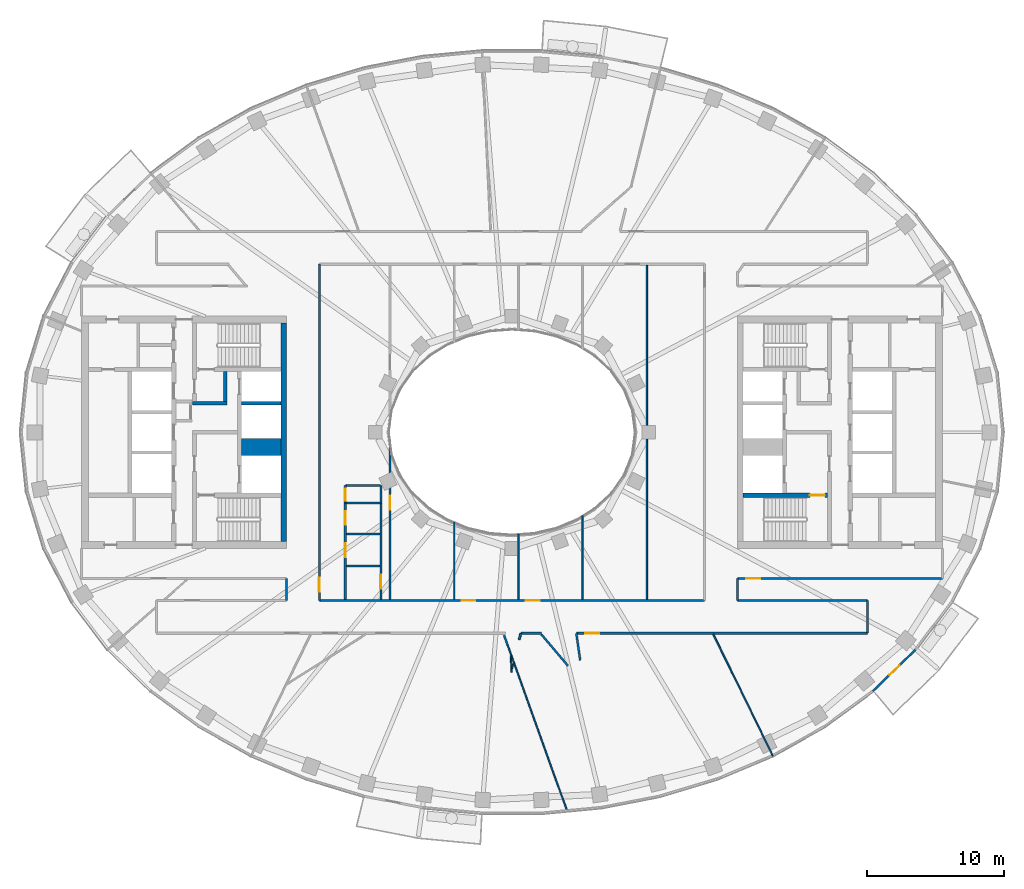
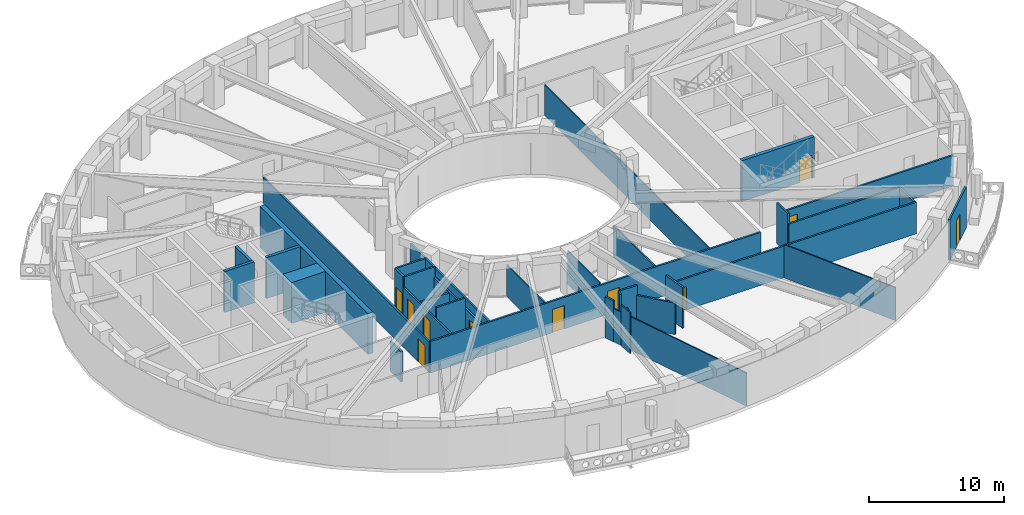
# One storey, part 4 of 16: 37 walls, 12 doors, 12 openings.
"""IFC4 building model written with IfcOpenShell, lengths in metres."""

from ifc_helpers import new_model, si_unit, direction, frame, frame_2d, origin, place, context, subcontext, project, spatial, rectangle, extrude, material, layer, layer_set, type_object, element, fill, save


model = new_model("IFC4")

# Units and contexts
model_context = context("Model", 3, precision=1e-05, world=origin(), true_north=direction((0.0, 1.0)))
body_context = subcontext(model_context, "Body", "Model", "MODEL_VIEW")
ifc_project = project(units=[si_unit("LENGTHUNIT", "METRE"), si_unit("AREAUNIT", "SQUARE_METRE"), si_unit("VOLUMEUNIT", "CUBIC_METRE"), si_unit("PLANEANGLEUNIT", "RADIAN"), si_unit("MASSUNIT", "GRAM", prefix="KILO")], contexts=[model_context])

# Site, building, storey
site_placement = place(None, origin())
site = spatial("IfcSite", under=ifc_project, at=site_placement, CompositionType="ELEMENT")
building_placement = place(site_placement, origin())
building = spatial("IfcBuilding", under=site, at=building_placement, Name="Noorbagh Ring Tower", CompositionType="ELEMENT")
storey_placement = place(building_placement, frame((0.0, 0.0, 249.5)))
storey = spatial("IfcBuildingStorey", under=building, at=storey_placement, Name="L52", CompositionType="ELEMENT", Elevation=249.5)

# Wall, opening, door
ifc_material_1 = material(Name="Gypsum board on steel studs", Category="steel")
ifc_layer_1 = layer(ifc_material_1, 0.14990234375)
ifc_layer_set_1 = layer_set([ifc_layer_1], Name="Gypsum board on steel studs")
wall_type_1 = type_object("IfcWallType", Name="COMPARTMENT PARTITION 150 EI 60", PredefinedType="PARTITIONING", material=ifc_layer_set_1)
wall_1_placement = place(storey_placement, frame((-12.199951171875, -5.159912109375, 0.0), z_axis=(0.0, 0.0, 1.0), x_axis=(0.0, 1.0, 0.0)))
wall_1 = element("IfcWall", 1, at=wall_1_placement, inside=storey, type_object=wall_type_1, Name="L52/wall/P26", PredefinedType="PARTITIONING", context=body_context, shape_type="SweptSolid", body=[
    extrude(rectangle(XDim=1.260009765625, YDim=0.14990234375, at=frame_2d((0.6298828125, 0.0))), origin(), (0.0, 0.0, 1.0), 3.699951171875),
])
opening_1_placement = place(wall_1_placement, frame((0.14990234375, 0.0, 0.0)))
opening_1 = element("IfcOpeningElement", 2, at=opening_1_placement, cuts=wall_1, Name="Opening D4", PredefinedType="OPENING", context=body_context, shape_type="SweptSolid", body=[
    extrude(rectangle(XDim=0.89990234375, YDim=2.10009765625, at=frame_2d((0.449951171875, 1.050048828125))), frame((0.0, 0.0849609375, 0.0), z_axis=(0.0, -1.0, 0.0), x_axis=(1.0, 0.0, 0.0)), (0.0, 0.0, 1.0), 0.169921875),
])
ifc_material_2 = material(Name="Timber, painted", Category="wood")
door_type_1 = type_object("IfcDoorType", Name="DOOR 900 X 2100 FD60", OperationType="SINGLE_SWING_LEFT", PredefinedType="DOOR", material=ifc_material_2)
door_1_placement = place(opening_1_placement, origin())
door_1 = element("IfcDoor", 3, at=door_1_placement, inside=storey, type_object=door_type_1, Name="L52-D05", OperationType="SINGLE_SWING_LEFT", OverallHeight=2.10009765625, OverallWidth=0.89990234375, PredefinedType="DOOR", context=body_context, shape_type="SweptSolid", body=[
    extrude(rectangle(XDim=0.89990234375, YDim=2.10009765625, at=frame_2d((0.449951171875, 1.050048828125))), frame((0.0, 0.02490234375, 0.0), z_axis=(0.0, -1.0, 0.0), x_axis=(1.0, 0.0, 0.0)), (0.0, 0.0, 1.0), 0.050048828125),
])
fill(opening_1, door_1)

# Walls
wall_2_placement = place(storey_placement, frame((-12.199951171875, -5.159912109375, 0.0), z_axis=(0.0, 0.0, 1.0), x_axis=(1.0, 0.0, 0.0)))
element("IfcWall", 4, at=wall_2_placement, inside=storey, type_object=wall_type_1, Name="L52/wall/P27", PredefinedType="PARTITIONING", context=body_context, shape_type="SweptSolid", body=[
    extrude(rectangle(XDim=2.599853515625, YDim=0.14990234375, at=frame_2d((1.2998046875, 0.0))), origin(), (0.0, 0.0, 1.0), 3.699951171875),
])
wall_3_placement = place(storey_placement, frame((-12.199951171875, -3.89990234375, 0.0), z_axis=(0.0, 0.0, 1.0), x_axis=(1.0, 0.0, 0.0)))
element("IfcWall", 5, at=wall_3_placement, inside=storey, type_object=wall_type_1, Name="L52/wall/P28", PredefinedType="PARTITIONING", context=body_context, shape_type="SweptSolid", body=[
    extrude(rectangle(XDim=2.595947265625, YDim=0.14990234375, at=frame_2d((1.2978515625, 0.0))), origin(), (0.0, 0.0, 1.0), 3.699951171875),
])
wall_4_placement = place(storey_placement, frame((-9.60009765625, -5.159912109375, 0.0), z_axis=(0.0, 0.0, 1.0), x_axis=(0.0, 1.0, 0.0)))
element("IfcWall", 6, at=wall_4_placement, inside=storey, type_object=wall_type_1, Name="L52/wall/P31", PredefinedType="PARTITIONING", context=body_context, shape_type="SweptSolid", body=[
    extrude(rectangle(XDim=1.255859375, YDim=0.14990234375, at=frame_2d((0.6279296875, 0.0))), origin(), (0.0, 0.0, 1.0), 3.699951171875),
])
ifc_material_3 = material(Name="Concrete C60/75", Category="concrete")
ifc_layer_2 = layer(ifc_material_3, 1.25)
ifc_layer_set_2 = layer_set([ifc_layer_2], Name="Concrete C60/75")
wall_type_2 = type_object("IfcWallType", Name="CORE-WALL-1250-C60-75-EI120", PredefinedType="SHEAR", material=ifc_layer_set_2)
wall_5_placement = place(storey_placement, frame((-16.89990234375, -1.074951171875, 0.0), z_axis=(0.0, 0.0, 1.0), x_axis=(-1.0, 0.0, 0.0)))
element("IfcWall", 7, at=wall_5_placement, inside=storey, type_object=wall_type_2, Name="Core wall W", PredefinedType="SHEAR", context=body_context, shape_type="SweptSolid", body=[
    extrude(rectangle(XDim=2.900146484375, YDim=1.25, at=frame_2d((1.4501953125, 0.0))), origin(), (0.0, 0.0, 1.0), 3.699951171875),
])
ifc_material_4 = material(Name="Concrete C60/75", Category="concrete")
ifc_layer_3 = layer(ifc_material_4, 0.25)
ifc_layer_set_3 = layer_set([ifc_layer_3], Name="Concrete C60/75")
wall_type_3 = type_object("IfcWallType", Name="CORE-WALL-250-C60-75-EI120", PredefinedType="SHEAR", material=ifc_layer_set_3)
wall_6_placement = place(storey_placement, frame((-16.89990234375, 2.125, 0.0), z_axis=(0.0, 0.0, 1.0), x_axis=(-1.0, 0.0, 0.0)))
element("IfcWall", 8, at=wall_6_placement, inside=storey, type_object=wall_type_3, Name="Core wall W", PredefinedType="SHEAR", context=body_context, shape_type="SweptSolid", body=[
    extrude(rectangle(XDim=2.900146484375, YDim=0.25, at=frame_2d((1.4501953125, 0.0))), origin(), (0.0, 0.0, 1.0), 3.699951171875),
])
ifc_material_5 = material(Name="Concrete C60/75", Category="concrete")
ifc_layer_4 = layer(ifc_material_5, 0.25)
ifc_layer_set_4 = layer_set([ifc_layer_4], Name="Concrete C60/75")
wall_type_4 = type_object("IfcWallType", Name="CORE-WALL-250-C60-75-EI240", PredefinedType="SHEAR", material=ifc_layer_set_4)
wall_7_placement = place(storey_placement, frame((-20.85009765625, 2.125, 0.0), z_axis=(0.0, 0.0, 1.0), x_axis=(-1.0, 0.0, 0.0)))
element("IfcWall", 9, at=wall_7_placement, inside=storey, type_object=wall_type_4, Name="Core wall W", PredefinedType="SHEAR", context=body_context, shape_type="SweptSolid", body=[
    extrude(rectangle(XDim=2.52978515625, YDim=0.25, at=frame_2d((1.264892578125, 0.0))), origin(), (0.0, 0.0, 1.0), 3.699951171875),
])
wall_8_placement = place(storey_placement, frame((-20.97509765625, 2.25, 0.0), z_axis=(0.0, 0.0, 1.0), x_axis=(0.0, 1.0, 0.0)))
element("IfcWall", 10, at=wall_8_placement, inside=storey, type_object=wall_type_4, Name="Core wall W", PredefinedType="SHEAR", context=body_context, shape_type="SweptSolid", body=[
    extrude(rectangle(XDim=2.199951171875, YDim=0.25, at=frame_2d((1.10009765625, 0.0))), origin(), (0.0, 0.0, 1.0), 3.699951171875),
])

# Wall, opening, door
ifc_material_6 = material(Name="Concrete C60/75", Category="concrete")
ifc_layer_5 = layer(ifc_material_6, 0.300048828125)
ifc_layer_set_5 = layer_set([ifc_layer_5], Name="Concrete C60/75")
wall_type_5 = type_object("IfcWallType", Name="CORE-WALL-300-C60-75-EI240", PredefinedType="SHEAR", material=ifc_layer_set_5)
wall_9_placement = place(storey_placement, frame((16.89990234375, -4.60009765625, 0.0), z_axis=(0.0, 0.0, 1.0), x_axis=(1.0, 0.0, 0.0)))
wall_9 = element("IfcWall", 11, at=wall_9_placement, inside=storey, type_object=wall_type_5, Name="Core wall E", PredefinedType="SHEAR", context=body_context, shape_type="SweptSolid", body=[
    extrude(rectangle(XDim=6.18017578125, YDim=0.300048828125, at=frame_2d((3.090087890625, 0.0))), origin(), (0.0, 0.0, 1.0), 3.699951171875),
])
opening_2_placement = place(wall_9_placement, frame((4.89990234375, 0.0, 0.0)))
opening_2 = element("IfcOpeningElement", 12, at=opening_2_placement, cuts=wall_9, Name="Opening L52-CE08", PredefinedType="OPENING", context=body_context, shape_type="SweptSolid", body=[
    extrude(rectangle(XDim=1.10009765625, YDim=2.10009765625, at=frame_2d((0.550048828125, 1.050048828125))), frame((0.0, 0.16015625, 0.0), z_axis=(0.0, -1.0, 0.0), x_axis=(1.0, 0.0, 0.0)), (0.0, 0.0, 1.0), 0.320068359375),
])
ifc_material_7 = material(Name="Steel door leaf", Category="steel")
door_type_2 = type_object("IfcDoorType", Name="CORE-DOOR-DSTAIR", OperationType="SINGLE_SWING_LEFT", PredefinedType="DOOR", material=ifc_material_7)
door_2_placement = place(opening_2_placement, origin())
door_2 = element("IfcDoor", 13, at=door_2_placement, inside=storey, type_object=door_type_2, Name="Stair door ST4 L52-CE08", OperationType="SINGLE_SWING_RIGHT", OverallHeight=2.10009765625, OverallWidth=1.10009765625, PredefinedType="DOOR", context=body_context, shape_type="SweptSolid", body=[
    extrude(rectangle(XDim=1.10009765625, YDim=2.10009765625, at=frame_2d((0.550048828125, 1.050048828125))), frame((0.0, 0.02490234375, 0.0), z_axis=(0.0, -1.0, 0.0), x_axis=(1.0, 0.0, 0.0)), (0.0, 0.0, 1.0), 0.050048828125),
])
fill(opening_2, door_2)

# Walls
ifc_material_8 = material(Name="Concrete C60/75", Category="concrete")
ifc_layer_6 = layer(ifc_material_8, 0.39990234375)
ifc_layer_set_6 = layer_set([ifc_layer_6], Name="Concrete C60/75")
wall_type_6 = type_object("IfcWallType", Name="CORE-WALL-400-C60-75-EI240", PredefinedType="SHEAR", material=ifc_layer_set_6)
wall_10_placement = place(storey_placement, frame((-16.699951171875, -8.0, 0.0), z_axis=(0.0, 0.0, 1.0), x_axis=(0.0, 1.0, 0.0)))
element("IfcWall", 14, at=wall_10_placement, inside=storey, type_object=wall_type_6, Name="Core wall W", PredefinedType="SHEAR", context=body_context, shape_type="SweptSolid", body=[
    extrude(rectangle(XDim=16.0, YDim=0.39990234375, at=frame_2d((8.0, 0.0))), origin(), (0.0, 0.0, 1.0), 3.699951171875),
])
ifc_material_9 = material(Name="Gypsum board on steel studs", Category="steel")
ifc_layer_7 = layer(ifc_material_9, 0.14990234375)
ifc_layer_set_7 = layer_set([ifc_layer_7], Name="Gypsum board on steel studs")
wall_type_7 = type_object("IfcWallType", Name="CORRIDOR PARTITION 150 EI 30", PredefinedType="PARTITIONING", material=ifc_layer_set_7)
wall_11_placement = place(storey_placement, frame((-16.5, -12.300048828125, 0.0), z_axis=(0.0, 0.0, 1.0), x_axis=(0.0, 1.0, 0.0)))
element("IfcWall", 15, at=wall_11_placement, inside=storey, type_object=wall_type_7, Name="L52/wall/P18", PredefinedType="PARTITIONING", context=body_context, shape_type="SweptSolid", body=[
    extrude(rectangle(XDim=1.60009765625, YDim=0.14990234375, at=frame_2d((0.800048828125, 0.0))), origin(), (0.0, 0.0, 1.0), 2.75),
])

# Wall, opening, door
wall_12_placement = place(storey_placement, frame((-14.10009765625, -12.300048828125, 0.0), z_axis=(0.0, 0.0, 1.0), x_axis=(0.0, 1.0, 0.0)))
wall_12 = element("IfcWall", 16, at=wall_12_placement, inside=storey, type_object=wall_type_7, Name="L52/wall/P20", PredefinedType="PARTITIONING", context=body_context, shape_type="SweptSolid", body=[
    extrude(rectangle(XDim=24.60009765625, YDim=0.14990234375, at=frame_2d((12.300048828125, 0.0))), origin(), (0.0, 0.0, 1.0), 2.75),
])
opening_3_placement = place(wall_12_placement, frame((0.64990234375, 0.0, 0.0)))
opening_3 = element("IfcOpeningElement", 17, at=opening_3_placement, cuts=wall_12, Name="Opening D1", PredefinedType="OPENING", context=body_context, shape_type="SweptSolid", body=[
    extrude(rectangle(XDim=1.0, YDim=2.10009765625, at=frame_2d((0.5, 1.050048828125))), frame((0.0, 0.0849609375, 0.0), z_axis=(0.0, -1.0, 0.0), x_axis=(1.0, 0.0, 0.0)), (0.0, 0.0, 1.0), 0.169921875),
])
ifc_material_10 = material(Name="Timber, painted", Category="wood")
door_type_3 = type_object("IfcDoorType", Name="DOOR 1000 X 2100 FD30", OperationType="SINGLE_SWING_LEFT", PredefinedType="DOOR", material=ifc_material_10)
door_3_placement = place(opening_3_placement, origin())
door_3 = element("IfcDoor", 18, at=door_3_placement, inside=storey, type_object=door_type_3, Name="L52-D01", OperationType="SINGLE_SWING_LEFT", OverallHeight=2.10009765625, OverallWidth=1.0, PredefinedType="DOOR", context=body_context, shape_type="SweptSolid", body=[
    extrude(rectangle(XDim=1.0, YDim=2.10009765625, at=frame_2d((0.5, 1.050048828125))), frame((0.0, 0.02490234375, 0.0), z_axis=(0.0, -1.0, 0.0), x_axis=(1.0, 0.0, 0.0)), (0.0, 0.0, 1.0), 0.050048828125),
])
fill(opening_3, door_3)

# Wall, openings, doors
wall_13_placement = place(storey_placement, frame((-14.10009765625, -12.300048828125, 0.0), z_axis=(0.0, 0.0, 1.0), x_axis=(1.0, 0.0, 0.0)))
wall_13 = element("IfcWall", 19, at=wall_13_placement, inside=storey, type_object=wall_type_7, Name="L52/wall/P21", PredefinedType="PARTITIONING", context=body_context, shape_type="SweptSolid", body=[
    extrude(rectangle(XDim=28.2001953125, YDim=0.14990234375, at=frame_2d((14.10009765625, 0.0))), origin(), (0.0, 0.0, 1.0), 2.85009765625),
])
opening_4_placement = place(wall_13_placement, frame((10.419921875, 0.0, 0.0)))
opening_4 = element("IfcOpeningElement", 20, at=opening_4_placement, cuts=wall_13, Name="Opening D1", PredefinedType="OPENING", context=body_context, shape_type="SweptSolid", body=[
    extrude(rectangle(XDim=1.0, YDim=2.10009765625, at=frame_2d((0.5, 1.050048828125))), frame((0.0, 0.0849609375, 0.0), z_axis=(0.0, -1.0, 0.0), x_axis=(1.0, 0.0, 0.0)), (0.0, 0.0, 1.0), 0.169921875),
])
opening_5_placement = place(wall_13_placement, frame((15.1201171875, 0.0, 0.0)))
opening_5 = element("IfcOpeningElement", 21, at=opening_5_placement, cuts=wall_13, Name="Opening D1", PredefinedType="OPENING", context=body_context, shape_type="SweptSolid", body=[
    extrude(rectangle(XDim=1.0, YDim=2.10009765625, at=frame_2d((0.5, 1.050048828125))), frame((0.0, 0.0849609375, 0.0), z_axis=(0.0, -1.0, 0.0), x_axis=(1.0, 0.0, 0.0)), (0.0, 0.0, 1.0), 0.169921875),
])
door_4_placement = place(opening_4_placement, origin())
door_4 = element("IfcDoor", 22, at=door_4_placement, inside=storey, type_object=door_type_3, Name="L52-D22", OperationType="SINGLE_SWING_RIGHT", OverallHeight=2.10009765625, OverallWidth=1.0, PredefinedType="DOOR", context=body_context, shape_type="SweptSolid", body=[
    extrude(rectangle(XDim=1.0, YDim=2.10009765625, at=frame_2d((0.5, 1.050048828125))), frame((0.0, 0.02490234375, 0.0), z_axis=(0.0, -1.0, 0.0), x_axis=(1.0, 0.0, 0.0)), (0.0, 0.0, 1.0), 0.050048828125),
])
fill(opening_4, door_4)
door_5_placement = place(opening_5_placement, origin())
door_5 = element("IfcDoor", 23, at=door_5_placement, inside=storey, type_object=door_type_3, Name="L52-D24", OperationType="SINGLE_SWING_RIGHT", OverallHeight=2.10009765625, OverallWidth=1.0, PredefinedType="DOOR", context=body_context, shape_type="SweptSolid", body=[
    extrude(rectangle(XDim=1.0, YDim=2.10009765625, at=frame_2d((0.5, 1.050048828125))), frame((0.0, 0.02490234375, 0.0), z_axis=(0.0, -1.0, 0.0), x_axis=(1.0, 0.0, 0.0)), (0.0, 0.0, 1.0), 0.050048828125),
])
fill(opening_5, door_5)

wall_14_placement = place(storey_placement, frame((-12.199951171875, -12.22509765625, 0.0), z_axis=(0.0, 0.0, 1.0), x_axis=(0.0, 1.0, 0.0)))
wall_14 = element("IfcWall", 24, at=wall_14_placement, inside=storey, type_object=wall_type_7, Name="L52/wall/P23", PredefinedType="PARTITIONING", context=body_context, shape_type="SweptSolid", body=[
    extrude(rectangle(XDim=7.065185546875, YDim=0.14990234375, at=frame_2d((3.53271484375, 0.0))), origin(), (0.0, 0.0, 1.0), 2.75),
])
opening_6_placement = place(wall_14_placement, frame((3.094970703125, 0.0, 0.0)))
opening_6 = element("IfcOpeningElement", 25, at=opening_6_placement, cuts=wall_14, Name="Opening D3", PredefinedType="OPENING", context=body_context, shape_type="SweptSolid", body=[
    extrude(rectangle(XDim=1.0, YDim=2.10009765625, at=frame_2d((0.5, 1.050048828125))), frame((0.0, 0.0849609375, 0.0), z_axis=(0.0, -1.0, 0.0), x_axis=(1.0, 0.0, 0.0)), (0.0, 0.0, 1.0), 0.169921875),
])
opening_7_placement = place(wall_14_placement, frame((5.447021484375, 0.0, 0.0)))
opening_7 = element("IfcOpeningElement", 26, at=opening_7_placement, cuts=wall_14, Name="Opening D3", PredefinedType="OPENING", context=body_context, shape_type="SweptSolid", body=[
    extrude(rectangle(XDim=1.0, YDim=2.10009765625, at=frame_2d((0.5, 1.050048828125))), frame((0.0, 0.0849609375, 0.0), z_axis=(0.0, -1.0, 0.0), x_axis=(1.0, 0.0, 0.0)), (0.0, 0.0, 1.0), 0.169921875),
])
ifc_material_11 = material(Name="Timber, painted", Category="wood")
door_type_4 = type_object("IfcDoorType", Name="DOOR 1000 X 2100 WC", OperationType="SINGLE_SWING_LEFT", PredefinedType="DOOR", material=ifc_material_11)
door_6_placement = place(opening_6_placement, origin())
door_6 = element("IfcDoor", 27, at=door_6_placement, inside=storey, type_object=door_type_4, Name="L52-D03", OperationType="SINGLE_SWING_LEFT", OverallHeight=2.10009765625, OverallWidth=1.0, PredefinedType="DOOR", context=body_context, shape_type="SweptSolid", body=[
    extrude(rectangle(XDim=1.0, YDim=2.10009765625, at=frame_2d((0.5, 1.050048828125))), frame((0.0, 0.02490234375, 0.0), z_axis=(0.0, -1.0, 0.0), x_axis=(1.0, 0.0, 0.0)), (0.0, 0.0, 1.0), 0.050048828125),
])
fill(opening_6, door_6)
door_7_placement = place(opening_7_placement, origin())
door_7 = element("IfcDoor", 28, at=door_7_placement, inside=storey, type_object=door_type_4, Name="L52-D04", OperationType="SINGLE_SWING_RIGHT", OverallHeight=2.10009765625, OverallWidth=1.0, PredefinedType="DOOR", context=body_context, shape_type="SweptSolid", body=[
    extrude(rectangle(XDim=1.0, YDim=2.10009765625, at=frame_2d((0.5, 1.050048828125))), frame((0.0, 0.02490234375, 0.0), z_axis=(0.0, -1.0, 0.0), x_axis=(1.0, 0.0, 0.0)), (0.0, 0.0, 1.0), 0.050048828125),
])
fill(opening_7, door_7)

# Walls
wall_15_placement = place(storey_placement, frame((-12.125, -9.780029296875, 0.0), z_axis=(0.0, 0.0, 1.0), x_axis=(1.0, 0.0, 0.0)))
element("IfcWall", 29, at=wall_15_placement, inside=storey, type_object=wall_type_7, Name="L52/wall/P24", PredefinedType="PARTITIONING", context=body_context, shape_type="SweptSolid", body=[
    extrude(rectangle(XDim=2.449951171875, YDim=0.14990234375, at=frame_2d((1.22509765625, 0.0))), origin(), (0.0, 0.0, 1.0), 3.699951171875),
])
wall_16_placement = place(storey_placement, frame((-12.125, -7.427978515625, 0.0), z_axis=(0.0, 0.0, 1.0), x_axis=(1.0, 0.0, 0.0)))
element("IfcWall", 30, at=wall_16_placement, inside=storey, type_object=wall_type_7, Name="L52/wall/P25", PredefinedType="PARTITIONING", context=body_context, shape_type="SweptSolid", body=[
    extrude(rectangle(XDim=2.449951171875, YDim=0.14990234375, at=frame_2d((1.22509765625, 0.0))), origin(), (0.0, 0.0, 1.0), 2.75),
])

# Wall, opening, door
wall_17_placement = place(storey_placement, frame((-9.60009765625, -12.22509765625, 0.0), z_axis=(0.0, 0.0, 1.0), x_axis=(0.0, 1.0, 0.0)))
wall_17 = element("IfcWall", 31, at=wall_17_placement, inside=storey, type_object=wall_type_7, Name="L52/wall/P30", PredefinedType="PARTITIONING", context=body_context, shape_type="SweptSolid", body=[
    extrude(rectangle(XDim=7.065185546875, YDim=0.14990234375, at=frame_2d((3.53271484375, 0.0))), origin(), (0.0, 0.0, 1.0), 2.75),
])
opening_8_placement = place(wall_17_placement, frame((0.794921875, 0.0, 0.0)))
opening_8 = element("IfcOpeningElement", 32, at=opening_8_placement, cuts=wall_17, Name="Opening D3", PredefinedType="OPENING", context=body_context, shape_type="SweptSolid", body=[
    extrude(rectangle(XDim=1.0, YDim=2.10009765625, at=frame_2d((0.5, 1.050048828125))), frame((0.0, 0.0849609375, 0.0), z_axis=(0.0, -1.0, 0.0), x_axis=(1.0, 0.0, 0.0)), (0.0, 0.0, 1.0), 0.169921875),
])
door_8_placement = place(opening_8_placement, origin())
door_8 = element("IfcDoor", 33, at=door_8_placement, inside=storey, type_object=door_type_4, Name="L52-D02", OperationType="SINGLE_SWING_RIGHT", OverallHeight=2.10009765625, OverallWidth=1.0, PredefinedType="DOOR", context=body_context, shape_type="SweptSolid", body=[
    extrude(rectangle(XDim=1.0, YDim=2.10009765625, at=frame_2d((0.5, 1.050048828125))), frame((0.0, 0.02490234375, 0.0), z_axis=(0.0, -1.0, 0.0), x_axis=(1.0, 0.0, 0.0)), (0.0, 0.0, 1.0), 0.050048828125),
])
fill(opening_8, door_8)

wall_18_placement = place(storey_placement, frame((-8.929931640625, -12.22509765625, 0.0), z_axis=(0.0, 0.0, 1.0), x_axis=(0.0, 1.0, 0.0)))
wall_18 = element("IfcWall", 34, at=wall_18_placement, inside=storey, type_object=wall_type_7, Name="L52/wall/P32", PredefinedType="PARTITIONING", context=body_context, shape_type="SweptSolid", body=[
    extrude(rectangle(XDim=11.70703125, YDim=0.14990234375, at=frame_2d((5.853515625, 0.0))), origin(), (0.0, 0.0, 1.0), 2.75),
])
opening_9_placement = place(wall_18_placement, frame((6.574951171875, 0.0, 0.0)))
opening_9 = element("IfcOpeningElement", 35, at=opening_9_placement, cuts=wall_18, Name="Opening D1", PredefinedType="OPENING", context=body_context, shape_type="SweptSolid", body=[
    extrude(rectangle(XDim=1.0, YDim=2.10009765625, at=frame_2d((0.5, 1.050048828125))), frame((0.0, 0.0849609375, 0.0), z_axis=(0.0, -1.0, 0.0), x_axis=(1.0, 0.0, 0.0)), (0.0, 0.0, 1.0), 0.169921875),
])
door_9_placement = place(opening_9_placement, origin())
door_9 = element("IfcDoor", 36, at=door_9_placement, inside=storey, type_object=door_type_3, Name="L52-D20", OperationType="SINGLE_SWING_RIGHT", OverallHeight=2.10009765625, OverallWidth=1.0, PredefinedType="DOOR", context=body_context, shape_type="SweptSolid", body=[
    extrude(rectangle(XDim=1.0, YDim=2.10009765625, at=frame_2d((0.5, 1.050048828125))), frame((0.0, 0.02490234375, 0.0), z_axis=(0.0, -1.0, 0.0), x_axis=(1.0, 0.0, 0.0)), (0.0, 0.0, 1.0), 0.050048828125),
])
fill(opening_9, door_9)

# Walls
wall_19_placement = place(storey_placement, frame((-0.5810546875, -14.847900390625, 0.0), z_axis=(0.0, 0.0, 1.0), x_axis=(0.338772689559, -0.940868250505, 0.0)))
element("IfcWall", 37, at=wall_19_placement, inside=storey, type_object=wall_type_7, Name="L52/wall/P38", PredefinedType="PARTITIONING", context=body_context, shape_type="SweptSolid", body=[
    extrude(rectangle(XDim=0.812255859375, YDim=0.14990234375, at=frame_2d((0.40625, 0.0))), origin(), (0.0, 0.0, 1.0), 3.699951171875),
])
wall_20_placement = place(storey_placement, frame((0.52490234375, -15.1689453125, 0.0), z_axis=(0.0, 0.0, 1.0), x_axis=(0.239131424565, 0.970987209898, 0.0)))
element("IfcWall", 38, at=wall_20_placement, inside=storey, type_object=wall_type_7, Name="L52/wall/P45", PredefinedType="PARTITIONING", context=body_context, shape_type="SweptSolid", body=[
    extrude(rectangle(XDim=0.47265625, YDim=0.14990234375, at=frame_2d((0.236328125, 0.0))), origin(), (0.0, 0.0, 1.0), 3.699951171875),
])
wall_21_placement = place(storey_placement, frame((0.64111328125, -14.699951171875, 0.0), z_axis=(0.0, 0.0, 1.0), x_axis=(1.0, 0.0, 0.0)))
element("IfcWall", 39, at=wall_21_placement, inside=storey, type_object=wall_type_7, Name="L52/wall/P46", PredefinedType="PARTITIONING", context=body_context, shape_type="SweptSolid", body=[
    extrude(rectangle(XDim=1.533935546875, YDim=0.14990234375, at=frame_2d((0.76708984375, 0.0))), origin(), (0.0, 0.0, 1.0), 3.699951171875),
])
wall_22_placement = place(storey_placement, frame((2.14306640625, -14.778076171875, 0.0), z_axis=(0.0, 0.0, 1.0), x_axis=(0.646434796418, -0.762969235277, 0.0)))
element("IfcWall", 40, at=wall_22_placement, inside=storey, type_object=wall_type_7, Name="L52/wall/P47", PredefinedType="PARTITIONING", context=body_context, shape_type="SweptSolid", body=[
    extrude(rectangle(XDim=3.02099609375, YDim=0.14990234375, at=frame_2d((1.510498046875, 0.0))), origin(), (0.0, 0.0, 1.0), 2.85009765625),
])
wall_23_placement = place(storey_placement, frame((4.705078125, -14.7041015625, 0.0), z_axis=(0.0, 0.0, 1.0), x_axis=(0.142653420191, -0.989772702042, 0.0)))
element("IfcWall", 41, at=wall_23_placement, inside=storey, type_object=wall_type_7, Name="L52/wall/P48", PredefinedType="PARTITIONING", context=body_context, shape_type="SweptSolid", body=[
    extrude(rectangle(XDim=1.997314453125, YDim=0.14990234375, at=frame_2d((0.99853515625, 0.0))), origin(), (0.0, 0.0, 1.0), 3.699951171875),
])

# Wall, opening, door
wall_24_placement = place(storey_placement, frame((4.72509765625, -14.699951171875, 0.0), z_axis=(0.0, 0.0, 1.0), x_axis=(1.0, 0.0, 0.0)))
wall_24 = element("IfcWall", 42, at=wall_24_placement, inside=storey, type_object=wall_type_7, Name="L52/wall/P49", PredefinedType="PARTITIONING", context=body_context, shape_type="SweptSolid", body=[
    extrude(rectangle(XDim=21.27490234375, YDim=0.14990234375, at=frame_2d((10.637451171875, 0.0))), origin(), (0.0, 0.0, 1.0), 2.85009765625),
])
opening_10_placement = place(wall_24_placement, frame((0.64990234375, 0.0, 0.0)))
opening_10 = element("IfcOpeningElement", 43, at=opening_10_placement, cuts=wall_24, Name="Opening D1", PredefinedType="OPENING", context=body_context, shape_type="SweptSolid", body=[
    extrude(rectangle(XDim=1.0, YDim=2.10009765625, at=frame_2d((0.5, 1.050048828125))), frame((0.0, 0.0849609375, 0.0), z_axis=(0.0, -1.0, 0.0), x_axis=(1.0, 0.0, 0.0)), (0.0, 0.0, 1.0), 0.169921875),
])
door_10_placement = place(opening_10_placement, origin())
door_10 = element("IfcDoor", 44, at=door_10_placement, inside=storey, type_object=door_type_3, Name="L52-D15", OperationType="SINGLE_SWING_LEFT", OverallHeight=2.10009765625, OverallWidth=1.0, PredefinedType="DOOR", context=body_context, shape_type="SweptSolid", body=[
    extrude(rectangle(XDim=1.0, YDim=2.10009765625, at=frame_2d((0.5, 1.050048828125))), frame((0.0, 0.02490234375, 0.0), z_axis=(0.0, -1.0, 0.0), x_axis=(1.0, 0.0, 0.0)), (0.0, 0.0, 1.0), 0.050048828125),
])
fill(opening_10, door_10)

# Walls
wall_25_placement = place(storey_placement, frame((16.5, -12.300048828125, 0.0), z_axis=(0.0, 0.0, 1.0), x_axis=(0.0, 1.0, 0.0)))
element("IfcWall", 45, at=wall_25_placement, inside=storey, type_object=wall_type_7, Name="L52/wall/P60", PredefinedType="PARTITIONING", context=body_context, shape_type="SweptSolid", body=[
    extrude(rectangle(XDim=1.60009765625, YDim=0.14990234375, at=frame_2d((0.800048828125, 0.0))), origin(), (0.0, 0.0, 1.0), 3.699951171875),
])
wall_26_placement = place(storey_placement, frame((16.5, -12.300048828125, 0.0), z_axis=(0.0, 0.0, 1.0), x_axis=(1.0, 0.0, 0.0)))
element("IfcWall", 46, at=wall_26_placement, inside=storey, type_object=wall_type_7, Name="L52/wall/P61", PredefinedType="PARTITIONING", context=body_context, shape_type="SweptSolid", body=[
    extrude(rectangle(XDim=9.5, YDim=0.14990234375, at=frame_2d((4.75, 0.0))), origin(), (0.0, 0.0, 1.0), 2.75),
])

# Wall, opening, door
wall_27_placement = place(storey_placement, frame((16.5, -10.699951171875, 0.0), z_axis=(0.0, 0.0, 1.0), x_axis=(1.0, 0.0, 0.0)))
wall_27 = element("IfcWall", 47, at=wall_27_placement, inside=storey, type_object=wall_type_7, Name="L52/wall/P62", PredefinedType="PARTITIONING", context=body_context, shape_type="SweptSolid", body=[
    extrude(rectangle(XDim=15.0, YDim=0.14990234375, at=frame_2d((7.5, 0.0))), origin(), (0.0, 0.0, 1.0), 2.75),
])
opening_11_placement = place(wall_27_placement, frame((0.64990234375, 0.0, 0.0)))
opening_11 = element("IfcOpeningElement", 48, at=opening_11_placement, cuts=wall_27, Name="Opening D1", PredefinedType="OPENING", context=body_context, shape_type="SweptSolid", body=[
    extrude(rectangle(XDim=1.0, YDim=2.10009765625, at=frame_2d((0.5, 1.050048828125))), frame((0.0, 0.0849609375, 0.0), z_axis=(0.0, -1.0, 0.0), x_axis=(1.0, 0.0, 0.0)), (0.0, 0.0, 1.0), 0.169921875),
])
door_11_placement = place(opening_11_placement, origin())
door_11 = element("IfcDoor", 49, at=door_11_placement, inside=storey, type_object=door_type_3, Name="L52-D17", OperationType="SINGLE_SWING_LEFT", OverallHeight=2.10009765625, OverallWidth=1.0, PredefinedType="DOOR", context=body_context, shape_type="SweptSolid", body=[
    extrude(rectangle(XDim=1.0, YDim=2.10009765625, at=frame_2d((0.5, 1.050048828125))), frame((0.0, 0.02490234375, 0.0), z_axis=(0.0, -1.0, 0.0), x_axis=(1.0, 0.0, 0.0)), (0.0, 0.0, 1.0), 0.050048828125),
])
fill(opening_11, door_11)

# Wall
wall_28_placement = place(storey_placement, frame((26.0, -14.699951171875, 0.0), z_axis=(0.0, 0.0, 1.0), x_axis=(0.0, 1.0, 0.0)))
element("IfcWall", 50, at=wall_28_placement, inside=storey, type_object=wall_type_7, Name="L52/wall/P68", PredefinedType="PARTITIONING", context=body_context, shape_type="SweptSolid", body=[
    extrude(rectangle(XDim=2.39990234375, YDim=0.14990234375, at=frame_2d((1.199951171875, 0.0))), origin(), (0.0, 0.0, 1.0), 2.75),
])

# Wall, opening, door
ifc_material_12 = material(Name="Insulated aluminium clad panel", Category="aluminium")
ifc_layer_8 = layer(ifc_material_12, 0.14990234375)
ifc_layer_set_8 = layer_set([ifc_layer_8], Name="Insulated aluminium clad panel")
wall_type_8 = type_object("IfcWallType", Name="ENV-WALL-DOOR", PredefinedType="STANDARD", material=ifc_layer_set_8)
wall_29_placement = place(storey_placement, frame((26.396484375, -18.943359375, 0.0), z_axis=(0.0, 0.0, 1.0), x_axis=(0.717214761864, 0.696852197647, 0.0)))
wall_29 = element("IfcWall", 51, at=wall_29_placement, inside=storey, type_object=wall_type_8, Name="Balcony door wall chord 42", PredefinedType="STANDARD", context=body_context, shape_type="SweptSolid", body=[
    extrude(rectangle(XDim=4.424072265625, YDim=0.14990234375, at=frame_2d((2.2119140625, 0.0))), origin(), (0.0, 0.0, 1.0), 3.699951171875),
])
opening_12_placement = place(wall_29_placement, frame((1.712158203125, 0.0, 0.0)))
opening_12 = element("IfcOpeningElement", 52, at=opening_12_placement, cuts=wall_29, Name="Opening D-BL", PredefinedType="OPENING", context=body_context, shape_type="SweptSolid", body=[
    extrude(rectangle(XDim=1.0, YDim=2.39990234375, at=frame_2d((0.5, 1.199951171875))), frame((0.0, 0.0849609375, 0.0), z_axis=(0.0, -1.0, 0.0), x_axis=(1.0, 0.0, 0.0)), (0.0, 0.0, 1.0), 0.169921875),
])
ifc_material_13 = material(Name="Aluminium and glass", Category="aluminium")
door_type_5 = type_object("IfcDoorType", Name="ENV-DOOR-BALCONY", OperationType="SINGLE_SWING_LEFT", PredefinedType="DOOR", material=ifc_material_13)
door_12_placement = place(opening_12_placement, origin())
door_12 = element("IfcDoor", 53, at=door_12_placement, inside=storey, type_object=door_type_5, Name="Balcony door chord 42", OperationType="SINGLE_SWING_LEFT", OverallHeight=2.39990234375, OverallWidth=1.0, PredefinedType="DOOR", context=body_context, shape_type="SweptSolid", body=[
    extrude(rectangle(XDim=1.0, YDim=2.39990234375, at=frame_2d((0.5, 1.199951171875))), frame((0.0, 0.02490234375, 0.0), z_axis=(0.0, -1.0, 0.0), x_axis=(1.0, 0.0, 0.0)), (0.0, 0.0, 1.0), 0.050048828125),
])
fill(opening_12, door_12)

# Walls
ifc_material_14 = material(Name="Gypsum board on steel studs", Category="steel")
ifc_layer_9 = layer(ifc_material_14, 0.10009765625)
ifc_layer_set_9 = layer_set([ifc_layer_9], Name="Gypsum board on steel studs")
wall_type_9 = type_object("IfcWallType", Name="PARTITION 100 GYPSUM", PredefinedType="PARTITIONING", material=ifc_layer_set_9)
wall_30_placement = place(storey_placement, frame((-4.22998046875, -12.22509765625, 0.0), z_axis=(0.0, 0.0, 1.0), x_axis=(0.0, 1.0, 0.0)))
element("IfcWall", 54, at=wall_30_placement, inside=storey, type_object=wall_type_9, Name="L52/wall/P34", PredefinedType="PARTITIONING", context=body_context, shape_type="SweptSolid", body=[
    extrude(rectangle(XDim=5.633056640625, YDim=0.10009765625, at=frame_2d((2.81640625, 0.0))), origin(), (0.0, 0.0, 1.0), 2.85009765625),
])
wall_31_placement = place(storey_placement, frame((-0.306884765625, -15.612060546875, 0.0), z_axis=(0.0, 0.0, 1.0), x_axis=(0.337831560828, -0.941206585457, 0.0)))
element("IfcWall", 55, at=wall_31_placement, inside=storey, type_object=wall_type_9, Name="L52/wall/P39", PredefinedType="PARTITIONING", context=body_context, shape_type="SweptSolid", body=[
    extrude(rectangle(XDim=12.8642578125, YDim=0.10009765625, at=frame_2d((6.43212890625, 0.0))), origin(), (0.0, 0.0, 1.0), 3.0),
])
wall_32_placement = place(storey_placement, frame((-0.083984375, -16.35595703125, 0.0), z_axis=(0.0, 0.0, 1.0), x_axis=(0.047967320325, -0.998848905581, 0.0)))
element("IfcWall", 56, at=wall_32_placement, inside=storey, type_object=wall_type_9, Name="L52/wall/P40", PredefinedType="PARTITIONING", context=body_context, shape_type="SweptSolid", body=[
    extrude(rectangle(XDim=1.21142578125, YDim=0.10009765625, at=frame_2d((0.605712890625, 0.0))), origin(), (0.0, 0.0, 1.0), 3.699951171875),
])
wall_33_placement = place(storey_placement, frame((0.001953125, -17.283935546875, 0.0), z_axis=(0.0, 0.0, 1.0), x_axis=(0.240121592304, 0.970742819139, 0.0)))
element("IfcWall", 57, at=wall_33_placement, inside=storey, type_object=wall_type_9, Name="L52/wall/P41", PredefinedType="PARTITIONING", context=body_context, shape_type="SweptSolid", body=[
    extrude(rectangle(XDim=0.404541015625, YDim=0.10009765625, at=frame_2d((0.2021484375, 0.0))), origin(), (0.0, 0.0, 1.0), 3.699951171875),
])
wall_34_placement = place(storey_placement, frame((0.469970703125, -12.22509765625, 0.0), z_axis=(0.0, 0.0, 1.0), x_axis=(0.0, 1.0, 0.0)))
element("IfcWall", 58, at=wall_34_placement, inside=storey, type_object=wall_type_9, Name="L52/wall/P43", PredefinedType="PARTITIONING", context=body_context, shape_type="SweptSolid", body=[
    extrude(rectangle(XDim=4.756103515625, YDim=0.10009765625, at=frame_2d((2.3779296875, 0.0))), origin(), (0.0, 0.0, 1.0), 3.0),
])
wall_35_placement = place(storey_placement, frame((5.169921875, -12.22509765625, 0.0), z_axis=(0.0, 0.0, 1.0), x_axis=(0.0, 1.0, 0.0)))
element("IfcWall", 59, at=wall_35_placement, inside=storey, type_object=wall_type_9, Name="L52/wall/P51", PredefinedType="PARTITIONING", context=body_context, shape_type="SweptSolid", body=[
    extrude(rectangle(XDim=6.1201171875, YDim=0.10009765625, at=frame_2d((3.06005859375, 0.0))), origin(), (0.0, 0.0, 1.0), 2.85009765625),
])
wall_36_placement = place(storey_placement, frame((9.8701171875, -12.22509765625, 0.0), z_axis=(0.0, 0.0, 1.0), x_axis=(0.0, 1.0, 0.0)))
element("IfcWall", 60, at=wall_36_placement, inside=storey, type_object=wall_type_9, Name="L52/wall/P57", PredefinedType="PARTITIONING", context=body_context, shape_type="SweptSolid", body=[
    extrude(rectangle(XDim=24.4501953125, YDim=0.10009765625, at=frame_2d((12.22509765625, 0.0))), origin(), (0.0, 0.0, 1.0), 2.75),
])
wall_37_placement = place(storey_placement, frame((14.72998046875, -14.77490234375, 0.0), z_axis=(0.0, 0.0, 1.0), x_axis=(0.439200418971, -0.898389109448, 0.0)))
element("IfcWall", 61, at=wall_37_placement, inside=storey, type_object=wall_type_9, Name="L52/wall/P59", PredefinedType="PARTITIONING", context=body_context, shape_type="SweptSolid", body=[
    extrude(rectangle(XDim=9.91796875, YDim=0.10009765625, at=frame_2d((4.958984375, 0.0))), origin(), (0.0, 0.0, 1.0), 3.0),
])

save(model, "model.ifc")
